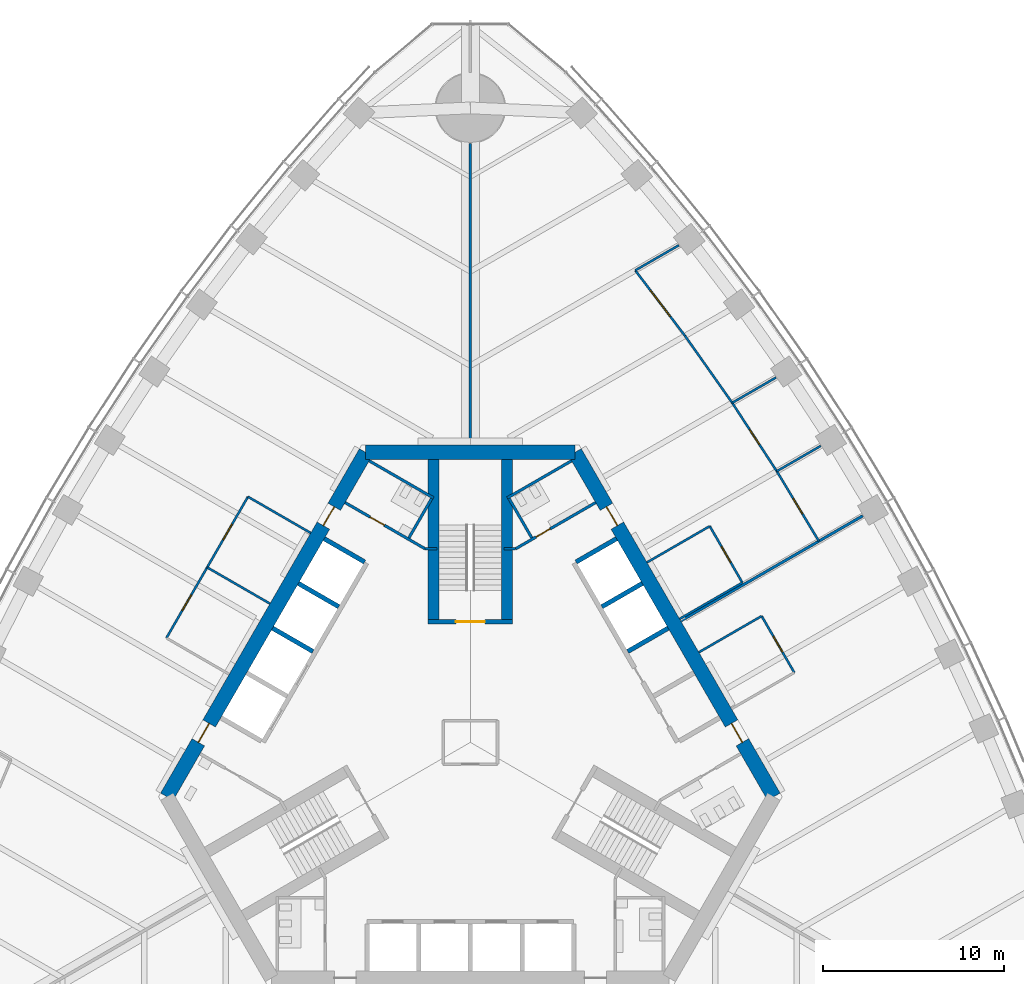
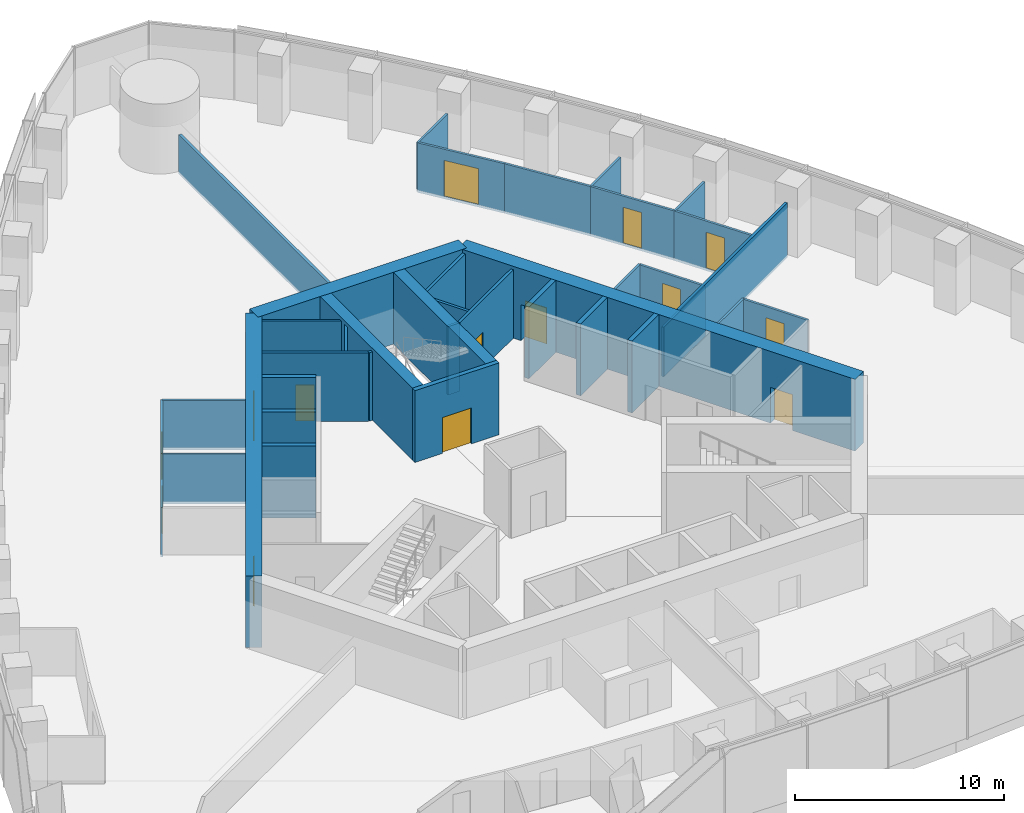
# One storey, part 13 of 19: 38 walls, 14 doors, 14 openings.
"""IFC4 building model written with IfcOpenShell, lengths in metres."""

import ifcopenshell
import ifcopenshell.guid

model = None  # the IFC model being written
_history = None  # IfcOwnerHistory: only IFC2X3 demands one
_inside = {}  # id of a spatial element -> (the spatial element, [elements in it])
_under = {}  # id of a project, library or spatial element -> (it, [spatial elements below it])
_declared = {}  # id of a project -> (the project, [libraries it declares])
_typed = {}  # id of a type object -> (the type object, [elements of that type])
_made_of = {}  # id of a material, layer set ... -> (it, [elements and type objects made of it])


def new_model(schema):
    """Start an empty IFC model of exactly this schema.

    Asked for "IFC4X3", IfcOpenShell would pick the latest addendum, in which some entities
    have other attributes; the version numbers below select the first issue.
    IFC2X3 requires an IfcOwnerHistory on every rooted entity: one is made here for all.
    """
    global model, _history
    if schema == "IFC4X3":
        model = ifcopenshell.file(schema_version=(4, 3, 0, 0))
    else:
        model = ifcopenshell.file(schema=schema)
    _inside.clear()
    _under.clear()
    _declared.clear()
    _typed.clear()
    _made_of.clear()
    _history = None
    if model.schema == "IFC2X3":
        org = make("IfcOrganization", Name="unknown")
        user = make(
            "IfcPersonAndOrganization",
            ThePerson=make("IfcPerson", FamilyName="unknown"),
            TheOrganization=org,
        )
        app = make(
            "IfcApplication",
            ApplicationDeveloper=org,
            Version="unknown",
            ApplicationFullName="unknown",
            ApplicationIdentifier="unknown",
        )
        _history = make(
            "IfcOwnerHistory",
            OwningUser=user,
            OwningApplication=app,
            ChangeAction="ADDED",
            CreationDate=0,
        )
    return model


def make(cls, **values):
    """One entity of the class cls with the attributes given. An attribute that is None is left unset."""
    return model.create_entity(
        cls, **{name: value for name, value in values.items() if value is not None}
    )


def rooted(cls, **values):
    """An entity with a GlobalId (a new one), such as an element, a storey or a relation."""
    return make(cls, GlobalId=ifcopenshell.guid.new(), OwnerHistory=_history, **values)


def si_unit(unit_type, name, prefix=None):
    """IfcSIUnit, for example si_unit("LENGTHUNIT", "METRE", prefix="MILLI")."""
    return make("IfcSIUnit", UnitType=unit_type, Prefix=prefix, Name=name)


def assignment(units):
    """IfcUnitAssignment: the units of a project."""
    return None if units is None else make("IfcUnitAssignment", Units=units)


def point(xyz):
    """IfcCartesianPoint."""
    return None if xyz is None else make("IfcCartesianPoint", Coordinates=xyz)


def direction(xyz):
    """IfcDirection."""
    return None if xyz is None else make("IfcDirection", DirectionRatios=xyz)


def frame(location, z_axis=None, x_axis=None):
    """IfcAxis2Placement3D, a coordinate frame: its origin and axes. An axis left out is left unset."""
    return make(
        "IfcAxis2Placement3D",
        Location=point(location),
        Axis=direction(z_axis),
        RefDirection=direction(x_axis),
    )


def frame_2d(location, x_axis=None):
    """IfcAxis2Placement2D, a coordinate frame in the plane: its origin and x axis."""
    return make(
        "IfcAxis2Placement2D", Location=point(location), RefDirection=direction(x_axis)
    )


def origin():
    """The frame at (0, 0, 0) with its axes left unset."""
    return frame((0.0, 0.0, 0.0))


def place(relative_to, where):
    """IfcLocalPlacement: puts the frame where relative to a parent placement (None: the world)."""
    return make(
        "IfcLocalPlacement", PlacementRelTo=relative_to, RelativePlacement=where
    )


def context(
    kind, dimensions, precision=None, world=None, true_north=None, identifier=None
):
    """IfcGeometricRepresentationContext, for example the 3D "Model" context."""
    return make(
        "IfcGeometricRepresentationContext",
        ContextIdentifier=identifier,
        ContextType=kind,
        CoordinateSpaceDimension=dimensions,
        Precision=precision,
        WorldCoordinateSystem=world,
        TrueNorth=true_north,
    )


def subcontext(parent, identifier, kind, view, scale=None):
    """IfcGeometricRepresentationSubContext, for example "Body" below "Model"."""
    return make(
        "IfcGeometricRepresentationSubContext",
        ContextIdentifier=identifier,
        ContextType=kind,
        ParentContext=parent,
        TargetScale=scale,
        TargetView=view,
    )


def project(units=None, contexts=None):
    """IfcProject with its units and contexts."""
    return rooted(
        "IfcProject",
        Name="project",
        RepresentationContexts=contexts,
        UnitsInContext=assignment(units),
    )


def spatial(cls, under=None, at=None, **own):
    """A site, building, storey or space (cls), placed at a placement, below another one or the project."""
    s = rooted(cls, ObjectPlacement=at, **own)
    if under is not None:
        _under.setdefault(under.id(), (under, []))[1].append(s)
    return s


def profile(cls, at=None, kind="AREA", **sizes):
    """A parametric profile (cls). Its sizes go by their IFC names, for example OverallWidth=200.0."""
    return make(cls, ProfileType=kind, Position=at, **sizes)


def rectangle(**sizes):
    """IfcRectangleProfileDef."""
    return profile("IfcRectangleProfileDef", **sizes)


def extrude(swept, where, along, depth):
    """IfcExtrudedAreaSolid: the profile swept, set in the frame where, extruded along a direction by depth."""
    return make(
        "IfcExtrudedAreaSolid",
        SweptArea=swept,
        Position=where,
        ExtrudedDirection=direction(along),
        Depth=depth,
    )


def shape(context_of_items, identifier, shape_type, items):
    """IfcShapeRepresentation: the items that make up one representation, for example the "Body"."""
    return make(
        "IfcShapeRepresentation",
        ContextOfItems=context_of_items,
        RepresentationIdentifier=identifier,
        RepresentationType=shape_type,
        Items=items,
    )


def material(Name=None, Category=None):
    """IfcMaterial."""
    return make("IfcMaterial", Name=Name, Category=Category)


def layer(
    of_material, thickness, ventilated=None, Name=None, Category=None, Priority=None
):
    """IfcMaterialLayer: one layer of a wall or slab, of a material (None: an air gap)."""
    return make(
        "IfcMaterialLayer",
        Material=of_material,
        LayerThickness=thickness,
        IsVentilated=ventilated,
        Name=Name,
        Category=Category,
        Priority=Priority,
    )


def layer_set(layers, Name=None):
    """IfcMaterialLayerSet."""
    return make("IfcMaterialLayerSet", MaterialLayers=layers, LayerSetName=Name)


def made_of(thing, what):
    """Note that an element or type object is made of a material, layer set ...; save() writes the relation."""
    if what is not None:
        _made_of.setdefault(what.id(), (what, []))[1].append(thing)
    return thing


def type_object(cls, material=None, **own):
    """A type object (cls), such as IfcWallType, which elements share."""
    return made_of(rooted(cls, **own), material)


def element(
    cls,
    number,
    at=None,
    inside=None,
    cuts=None,
    type_object=None,
    material=None,
    context=None,
    identifier="Body",
    shape_type=None,
    held_by="IfcProductDefinitionShape",
    body=None,
    shapes=None,
    **own,
):
    """One element of the class cls, such as IfcWall. Its Tag is "e" and its number.

    at: its placement. inside: the storey or other place that contains it. cuts: it is an
    opening in that element (IfcRelVoidsElement). A single representation is given by context,
    identifier, shape_type and body (its items); several are given by shapes. held_by: the class
    of the entity that holds the representations. save() writes the other relations.
    """
    e = rooted(cls, Tag="e%d" % number, ObjectPlacement=at, **own)
    if body is not None:
        shapes = [shape(context, identifier, shape_type, body)]
    if shapes is not None:
        e.Representation = make(held_by, Representations=shapes)
    if inside is not None:
        _inside.setdefault(inside.id(), (inside, []))[1].append(e)
    if cuts is not None:
        rooted(
            "IfcRelVoidsElement", RelatingBuildingElement=cuts, RelatedOpeningElement=e
        )
    if type_object is not None:
        _typed.setdefault(type_object.id(), (type_object, []))[1].append(e)
    return made_of(e, material)


def fill(opening, filler):
    """IfcRelFillsElement: the door or window that sits in an opening."""
    return rooted(
        "IfcRelFillsElement",
        RelatingOpeningElement=opening,
        RelatedBuildingElement=filler,
    )


def aggregate(whole, parts):
    """IfcRelAggregates: a whole, such as a stair, and the parts it consists of."""
    return rooted("IfcRelAggregates", RelatingObject=whole, RelatedObjects=parts)


def save(model, path):
    """Write the relations noted so far, then the file.

    IfcRelAggregates (storeys below a building ...), IfcRelContainedInSpatialStructure (elements
    in a storey), IfcRelDefinesByType, IfcRelAssociatesMaterial and IfcRelDeclares: one each for
    every whole, place, type object, material and project.
    """
    for whole, parts in _under.values():
        aggregate(whole, parts)
    for where, things in _inside.values():
        rooted(
            "IfcRelContainedInSpatialStructure",
            RelatedElements=things,
            RelatingStructure=where,
        )
    for kind, things in _typed.values():
        rooted("IfcRelDefinesByType", RelatedObjects=things, RelatingType=kind)
    for what, things in _made_of.values():
        rooted("IfcRelAssociatesMaterial", RelatedObjects=things, RelatingMaterial=what)
    for by, libraries in _declared.values():
        rooted("IfcRelDeclares", RelatingContext=by, RelatedDefinitions=libraries)
    model.write(path)


model = new_model("IFC4")

# Units and contexts
model_context = context("Model", 3, precision=1e-05, world=origin(), true_north=direction((0.0, 1.0)))
body_context = subcontext(model_context, "Body", "Model", "MODEL_VIEW")
ifc_project = project(units=[si_unit("LENGTHUNIT", "METRE"), si_unit("AREAUNIT", "SQUARE_METRE"), si_unit("VOLUMEUNIT", "CUBIC_METRE"), si_unit("PLANEANGLEUNIT", "RADIAN"), si_unit("MASSUNIT", "GRAM", prefix="KILO")], contexts=[model_context])

# Site, building, storey
site_placement = place(None, origin())
site = spatial("IfcSite", under=ifc_project, at=site_placement, CompositionType="ELEMENT")
building_placement = place(site_placement, origin())
building = spatial("IfcBuilding", under=site, at=building_placement, Name="Trefoil Bronze Tower", CompositionType="ELEMENT")
storey_placement = place(building_placement, frame((0.0, 0.0, 140.89990234375)))
storey = spatial("IfcBuildingStorey", under=building, at=storey_placement, Name="L32", CompositionType="ELEMENT", Elevation=140.89990234375)

# Wall, openings, doors
ifc_material_1 = material(Name="Concrete B80", Category="concrete")
ifc_layer_1 = layer(ifc_material_1, 0.800048828125)
ifc_layer_set_1 = layer_set([ifc_layer_1], Name="Core wall 800")
wall_type_1 = type_object("IfcWallType", Name="Core wall 800", PredefinedType="SHEAR", material=ifc_layer_set_1)
wall_1_placement = place(storey_placement, frame((16.7431640625, -3.0, 0.0), z_axis=(0.0, 0.0, 1.0), x_axis=(-0.500002442456, 0.866023993627, 0.0)))
wall_1 = element("IfcWall", 1, at=wall_1_placement, inside=storey, type_object=wall_type_1, Name="Core long wall 2 L32", PredefinedType="SHEAR", context=body_context, shape_type="SweptSolid", body=[
    extrude(rectangle(XDim=21.939453125, YDim=0.800048828125, at=frame_2d((10.9697265625, 0.0))), origin(), (0.0, 0.0, 1.0), 4.2001953125),
])
opening_1_placement = place(wall_1_placement, frame((17.269775390625, 0.0, 0.0)))
opening_1 = element("IfcOpeningElement", 2, at=opening_1_placement, cuts=wall_1, Name="Opening D2", PredefinedType="OPENING", context=body_context, shape_type="SweptSolid", body=[
    extrude(rectangle(XDim=1.199951171875, YDim=2.10009765625, at=frame_2d((0.60009765625, 1.050048828125))), frame((0.0, 0.409912109375, 0.0), z_axis=(0.0, -1.0, 0.0), x_axis=(1.0, 0.0, 0.0)), (0.0, 0.0, 1.0), 0.820068359375),
])
opening_2_placement = place(wall_1_placement, frame((3.4697265625, 0.0, 0.0)))
opening_2 = element("IfcOpeningElement", 3, at=opening_2_placement, cuts=wall_1, Name="Opening D2", PredefinedType="OPENING", context=body_context, shape_type="SweptSolid", body=[
    extrude(rectangle(XDim=1.199951171875, YDim=2.10009765625, at=frame_2d((0.60009765625, 1.050048828125))), frame((0.0, 0.409912109375, 0.0), z_axis=(0.0, -1.0, 0.0), x_axis=(1.0, 0.0, 0.0)), (0.0, 0.0, 1.0), 0.820068359375),
])
ifc_material_2 = material(Name="Steel door", Category="steel")
door_type_1 = type_object("IfcDoorType", Name="Lobby door 1200", OperationType="SINGLE_SWING_RIGHT", PredefinedType="DOOR", material=ifc_material_2)
door_1_placement = place(opening_1_placement, origin())
door_1 = element("IfcDoor", 4, at=door_1_placement, inside=storey, type_object=door_type_1, Name="Lobby door F2+ L32", OperationType="SINGLE_SWING_RIGHT", OverallHeight=2.10009765625, OverallWidth=1.199951171875, PredefinedType="DOOR", context=body_context, shape_type="SweptSolid", body=[
    extrude(rectangle(XDim=1.199951171875, YDim=2.10009765625, at=frame_2d((0.60009765625, 1.050048828125))), frame((0.0, 0.02490234375, 0.0), z_axis=(0.0, -1.0, 0.0), x_axis=(1.0, 0.0, 0.0)), (0.0, 0.0, 1.0), 0.050048828125),
])
fill(opening_1, door_1)
door_2_placement = place(opening_2_placement, origin())
door_2 = element("IfcDoor", 5, at=door_2_placement, inside=storey, type_object=door_type_1, Name="Lobby door F2- L32", OperationType="SINGLE_SWING_LEFT", OverallHeight=2.10009765625, OverallWidth=1.199951171875, PredefinedType="DOOR", context=body_context, shape_type="SweptSolid", body=[
    extrude(rectangle(XDim=1.199951171875, YDim=2.10009765625, at=frame_2d((0.60009765625, 1.050048828125))), frame((0.0, 0.02490234375, 0.0), z_axis=(0.0, -1.0, 0.0), x_axis=(1.0, 0.0, 0.0)), (0.0, 0.0, 1.0), 0.050048828125),
])
fill(opening_2, door_2)

# Wall
wall_2_placement = place(storey_placement, frame((5.7734375, 16.0, 0.0), z_axis=(0.0, 0.0, 1.0), x_axis=(-1.0, 0.0, 0.0)))
element("IfcWall", 6, at=wall_2_placement, inside=storey, type_object=wall_type_1, Name="Core short wall 2 L32", PredefinedType="SHEAR", context=body_context, shape_type="SweptSolid", body=[
    extrude(rectangle(XDim=11.546875, YDim=0.800048828125, at=frame_2d((5.7734375, 0.0))), origin(), (0.0, 0.0, 1.0), 4.2001953125),
])

# Wall, openings, doors
wall_3_placement = place(storey_placement, frame((-5.7734375, 16.0, 0.0), z_axis=(0.0, 0.0, 1.0), x_axis=(-0.500002442456, -0.866023993627, 0.0)))
wall_3 = element("IfcWall", 7, at=wall_3_placement, inside=storey, type_object=wall_type_1, Name="Core long wall 3 L32", PredefinedType="SHEAR", context=body_context, shape_type="SweptSolid", body=[
    extrude(rectangle(XDim=21.939453125, YDim=0.800048828125, at=frame_2d((10.9697265625, 0.0))), origin(), (0.0, 0.0, 1.0), 4.2001953125),
])
opening_3_placement = place(wall_3_placement, frame((17.269775390625, 0.0, 0.0)))
opening_3 = element("IfcOpeningElement", 8, at=opening_3_placement, cuts=wall_3, Name="Opening D2", PredefinedType="OPENING", context=body_context, shape_type="SweptSolid", body=[
    extrude(rectangle(XDim=1.199951171875, YDim=2.10009765625, at=frame_2d((0.60009765625, 1.050048828125))), frame((0.0, 0.409912109375, 0.0), z_axis=(0.0, -1.0, 0.0), x_axis=(1.0, 0.0, 0.0)), (0.0, 0.0, 1.0), 0.820068359375),
])
opening_4_placement = place(wall_3_placement, frame((3.4697265625, 0.0, 0.0)))
opening_4 = element("IfcOpeningElement", 9, at=opening_4_placement, cuts=wall_3, Name="Opening D2", PredefinedType="OPENING", context=body_context, shape_type="SweptSolid", body=[
    extrude(rectangle(XDim=1.199951171875, YDim=2.10009765625, at=frame_2d((0.60009765625, 1.050048828125))), frame((0.0, 0.409912109375, 0.0), z_axis=(0.0, -1.0, 0.0), x_axis=(1.0, 0.0, 0.0)), (0.0, 0.0, 1.0), 0.820068359375),
])
door_3_placement = place(opening_3_placement, origin())
door_3 = element("IfcDoor", 10, at=door_3_placement, inside=storey, type_object=door_type_1, Name="Lobby door F3+ L32", OperationType="SINGLE_SWING_RIGHT", OverallHeight=2.10009765625, OverallWidth=1.199951171875, PredefinedType="DOOR", context=body_context, shape_type="SweptSolid", body=[
    extrude(rectangle(XDim=1.199951171875, YDim=2.10009765625, at=frame_2d((0.60009765625, 1.050048828125))), frame((0.0, 0.02490234375, 0.0), z_axis=(0.0, -1.0, 0.0), x_axis=(1.0, 0.0, 0.0)), (0.0, 0.0, 1.0), 0.050048828125),
])
fill(opening_3, door_3)
door_4_placement = place(opening_4_placement, origin())
door_4 = element("IfcDoor", 11, at=door_4_placement, inside=storey, type_object=door_type_1, Name="Lobby door F3- L32", OperationType="SINGLE_SWING_LEFT", OverallHeight=2.10009765625, OverallWidth=1.199951171875, PredefinedType="DOOR", context=body_context, shape_type="SweptSolid", body=[
    extrude(rectangle(XDim=1.199951171875, YDim=2.10009765625, at=frame_2d((0.60009765625, 1.050048828125))), frame((0.0, 0.02490234375, 0.0), z_axis=(0.0, -1.0, 0.0), x_axis=(1.0, 0.0, 0.0)), (0.0, 0.0, 1.0), 0.050048828125),
])
fill(opening_4, door_4)

# Wall, opening, door
ifc_material_3 = material(Name="Glazed partition", Category="glass")
ifc_layer_2 = layer(ifc_material_3, 0.1201171875)
ifc_layer_set_2 = layer_set([ifc_layer_2], Name="Glazed partition 120")
wall_type_2 = type_object("IfcWallType", Name="Glazed partition 120", PredefinedType="PARTITIONING", material=ifc_layer_set_2)
wall_4_placement = place(storey_placement, frame((15.00634765625, 8.808349609375, 0.0), z_axis=(0.0, 0.0, 1.0), x_axis=(-0.500012057535, 0.866018442252, 0.0)))
wall_4 = element("IfcWall", 12, at=wall_4_placement, inside=storey, type_object=wall_type_2, Name="Partition F2 L32", PredefinedType="PARTITIONING", context=body_context, shape_type="SweptSolid", body=[
    extrude(rectangle(XDim=3.60009765625, YDim=0.1201171875, at=frame_2d((1.800048828125, 0.0))), origin(), (0.0, 0.0, 1.0), 2.900146484375),
])
opening_5_placement = place(wall_4_placement, frame((1.300048828125, 0.0, 0.14990234375)))
opening_5 = element("IfcOpeningElement", 13, at=opening_5_placement, cuts=wall_4, Name="Opening D9", PredefinedType="OPENING", context=body_context, shape_type="SweptSolid", body=[
    extrude(rectangle(XDim=1.0, YDim=2.10009765625, at=frame_2d((0.5, 1.050048828125))), frame((0.0, 0.070068359375, 0.0), z_axis=(0.0, -1.0, 0.0), x_axis=(1.0, 0.0, 0.0)), (0.0, 0.0, 1.0), 0.14013671875),
])
ifc_material_4 = material(Name="Glazed timber door", Category="wood")
door_type_2 = type_object("IfcDoorType", Name="Meeting room door 1000", OperationType="SINGLE_SWING_LEFT", PredefinedType="DOOR", material=ifc_material_4)
door_5_placement = place(opening_5_placement, origin())
door_5 = element("IfcDoor", 14, at=door_5_placement, inside=storey, type_object=door_type_2, Name="Meeting room door F2 L32", OperationType="SINGLE_SWING_LEFT", OverallHeight=2.10009765625, OverallWidth=1.0, PredefinedType="DOOR", context=body_context, shape_type="SweptSolid", body=[
    extrude(rectangle(XDim=1.0, YDim=2.10009765625, at=frame_2d((0.5, 1.050048828125))), frame((0.0, 0.02490234375, 0.0), z_axis=(0.0, -1.0, 0.0), x_axis=(1.0, 0.0, 0.0)), (0.0, 0.0, 1.0), 0.050048828125),
])
fill(opening_5, door_5)

wall_5_placement = place(storey_placement, frame((17.868896484375, 3.850341796875, 0.0), z_axis=(0.0, 0.0, 1.0), x_axis=(-0.500012057535, 0.866018442252, 0.0)))
wall_5 = element("IfcWall", 15, at=wall_5_placement, inside=storey, type_object=wall_type_2, Name="Partition F2 L32", PredefinedType="PARTITIONING", context=body_context, shape_type="SweptSolid", body=[
    extrude(rectangle(XDim=3.60009765625, YDim=0.1201171875, at=frame_2d((1.800048828125, 0.0))), origin(), (0.0, 0.0, 1.0), 2.900146484375),
])
opening_6_placement = place(wall_5_placement, frame((1.300048828125, 0.0, 0.14990234375)))
opening_6 = element("IfcOpeningElement", 16, at=opening_6_placement, cuts=wall_5, Name="Opening D9", PredefinedType="OPENING", context=body_context, shape_type="SweptSolid", body=[
    extrude(rectangle(XDim=1.0, YDim=2.10009765625, at=frame_2d((0.5, 1.050048828125))), frame((0.0, 0.070068359375, 0.0), z_axis=(0.0, -1.0, 0.0), x_axis=(1.0, 0.0, 0.0)), (0.0, 0.0, 1.0), 0.14013671875),
])
door_6_placement = place(opening_6_placement, origin())
door_6 = element("IfcDoor", 17, at=door_6_placement, inside=storey, type_object=door_type_2, Name="Meeting room door F2 L32", OperationType="SINGLE_SWING_RIGHT", OverallHeight=2.10009765625, OverallWidth=1.0, PredefinedType="DOOR", context=body_context, shape_type="SweptSolid", body=[
    extrude(rectangle(XDim=1.0, YDim=2.10009765625, at=frame_2d((0.5, 1.050048828125))), frame((0.0, 0.02490234375, 0.0), z_axis=(0.0, -1.0, 0.0), x_axis=(1.0, 0.0, 0.0)), (0.0, 0.0, 1.0), 0.050048828125),
])
fill(opening_6, door_6)

# Walls
for number, where, z_axis, x_axis, name in (
    (18, (11.542236328125, 6.808349609375, 0.0), (0.0, 0.0, 1.0), (0.866026010844, 0.49999894854, 0.0), "Partition F2 L32"),
    (19, (9.7421875, 9.926025390625, 0.0), (0.0, 0.0, 1.0), (0.866026010844, 0.49999894854, 0.0), "Partition F2 L32"),
    (20, (12.604736328125, 4.968017578125, 0.0), (0.0, 0.0, 1.0), (0.866026010844, 0.49999894854, 0.0), "Partition F2 L32"),
):
    element("IfcWall", number, at=place(storey_placement, frame(where, z_axis=z_axis, x_axis=x_axis)), inside=storey, type_object=wall_type_2, Name=name, PredefinedType="PARTITIONING", context=body_context, shape_type="SweptSolid", body=[
        extrude(rectangle(XDim=4.0, YDim=0.1201171875, at=frame_2d((2.0, 0.0))), origin(), (0.0, 0.0, 1.0), 2.900146484375),
    ])

# Wall, opening, door
wall_6_placement = place(storey_placement, frame((19.2255859375, 11.099853515625, 0.0), z_axis=(0.0, 0.0, 1.0), x_axis=(-0.515548366618, 0.856860479703, 0.0)))
wall_6 = element("IfcWall", 21, at=wall_6_placement, inside=storey, type_object=wall_type_2, Name="Partition F2 L32", PredefinedType="PARTITIONING", context=body_context, shape_type="SweptSolid", body=[
    extrude(rectangle(XDim=4.500732421875, YDim=0.1201171875, at=frame_2d((2.25048828125, 0.0))), origin(), (0.0, 0.0, 1.0), 2.900146484375),
])
opening_7_placement = place(wall_6_placement, frame((1.75, 0.0, 0.14990234375)))
opening_7 = element("IfcOpeningElement", 22, at=opening_7_placement, cuts=wall_6, Name="Opening D9", PredefinedType="OPENING", context=body_context, shape_type="SweptSolid", body=[
    extrude(rectangle(XDim=1.0, YDim=2.10009765625, at=frame_2d((0.5, 1.050048828125))), frame((0.0, 0.070068359375, 0.0), z_axis=(0.0, -1.0, 0.0), x_axis=(1.0, 0.0, 0.0)), (0.0, 0.0, 1.0), 0.14013671875),
])
door_7_placement = place(opening_7_placement, frame((1.0, 0.0, 0.0), z_axis=(0.0, 0.0, 1.0), x_axis=(-1.0, 0.0, 0.0)))
door_7 = element("IfcDoor", 23, at=door_7_placement, inside=storey, type_object=door_type_2, Name="Meeting room door F2 L32", OperationType="SINGLE_SWING_RIGHT", OverallHeight=2.10009765625, OverallWidth=1.0, PredefinedType="DOOR", context=body_context, shape_type="SweptSolid", body=[
    extrude(rectangle(XDim=1.0, YDim=2.10009765625, at=frame_2d((0.5, 1.050048828125))), frame((0.0, 0.02490234375, 0.0), z_axis=(0.0, -1.0, 0.0), x_axis=(1.0, 0.0, 0.0)), (0.0, 0.0, 1.0), 0.050048828125),
])
fill(opening_7, door_7)

wall_7_placement = place(storey_placement, frame((11.841552734375, 22.42529296875, 0.0), z_axis=(0.0, 0.0, 1.0), x_axis=(-0.605240194184, 0.796042905467, 0.0)))
wall_7 = element("IfcWall", 24, at=wall_7_placement, inside=storey, type_object=wall_type_2, Name="Partition F2 L32", PredefinedType="PARTITIONING", context=body_context, shape_type="SweptSolid", body=[
    extrude(rectangle(XDim=4.535888671875, YDim=0.1201171875, at=frame_2d((2.26806640625, 0.0))), origin(), (0.0, 0.0, 1.0), 2.900146484375),
])
opening_8_placement = place(wall_7_placement, frame((1.35009765625, 0.0, 0.14990234375)))
opening_8 = element("IfcOpeningElement", 25, at=opening_8_placement, cuts=wall_7, Name="Opening D10", PredefinedType="OPENING", context=body_context, shape_type="SweptSolid", body=[
    extrude(rectangle(XDim=1.800048828125, YDim=2.10009765625, at=frame_2d((0.89990234375, 1.050048828125))), frame((0.0, 0.070068359375, 0.0), z_axis=(0.0, -1.0, 0.0), x_axis=(1.0, 0.0, 0.0)), (0.0, 0.0, 1.0), 0.14013671875),
])
ifc_material_5 = material(Name="Timber door", Category="wood")
door_type_3 = type_object("IfcDoorType", Name="Double door 1800", OperationType="DOUBLE_DOOR_SINGLE_SWING", PredefinedType="DOOR", material=ifc_material_5)
door_8_placement = place(opening_8_placement, frame((1.800048828125, 0.0, 0.0), z_axis=(0.0, 0.0, 1.0), x_axis=(-1.0, 0.0, 0.0)))
door_8 = element("IfcDoor", 26, at=door_8_placement, inside=storey, type_object=door_type_3, Name="Kitchen and breakout door F2 L32", OperationType="DOUBLE_DOOR_SINGLE_SWING", OverallHeight=2.10009765625, OverallWidth=1.800048828125, PredefinedType="DOOR", context=body_context, shape_type="SweptSolid", body=[
    extrude(rectangle(XDim=1.800048828125, YDim=2.10009765625, at=frame_2d((0.89990234375, 1.050048828125))), frame((0.0, 0.02490234375, 0.0), z_axis=(0.0, -1.0, 0.0), x_axis=(1.0, 0.0, 0.0)), (0.0, 0.0, 1.0), 0.050048828125),
])
fill(opening_8, door_8)

wall_8_placement = place(storey_placement, frame((16.9052734375, 14.956298828125, 0.0), z_axis=(0.0, 0.0, 1.0), x_axis=(-0.546069464151, 0.837739900161, 0.0)))
wall_8 = element("IfcWall", 27, at=wall_8_placement, inside=storey, type_object=wall_type_2, Name="Partition F2 L32", PredefinedType="PARTITIONING", context=body_context, shape_type="SweptSolid", body=[
    extrude(rectangle(XDim=4.506591796875, YDim=0.1201171875, at=frame_2d((2.25341796875, 0.0))), origin(), (0.0, 0.0, 1.0), 2.900146484375),
])
opening_9_placement = place(wall_8_placement, frame((1.75, 0.0, 0.14990234375)))
opening_9 = element("IfcOpeningElement", 28, at=opening_9_placement, cuts=wall_8, Name="Opening D9", PredefinedType="OPENING", context=body_context, shape_type="SweptSolid", body=[
    extrude(rectangle(XDim=1.0, YDim=2.10009765625, at=frame_2d((0.5, 1.050048828125))), frame((0.0, 0.070068359375, 0.0), z_axis=(0.0, -1.0, 0.0), x_axis=(1.0, 0.0, 0.0)), (0.0, 0.0, 1.0), 0.14013671875),
])
door_9_placement = place(opening_9_placement, frame((1.0, 0.0, 0.0), z_axis=(0.0, 0.0, 1.0), x_axis=(-1.0, 0.0, 0.0)))
door_9 = element("IfcDoor", 29, at=door_9_placement, inside=storey, type_object=door_type_2, Name="Meeting room door F2 L32", OperationType="SINGLE_SWING_RIGHT", OverallHeight=2.10009765625, OverallWidth=1.0, PredefinedType="DOOR", context=body_context, shape_type="SweptSolid", body=[
    extrude(rectangle(XDim=1.0, YDim=2.10009765625, at=frame_2d((0.5, 1.050048828125))), frame((0.0, 0.02490234375, 0.0), z_axis=(0.0, -1.0, 0.0), x_axis=(1.0, 0.0, 0.0)), (0.0, 0.0, 1.0), 0.050048828125),
])
fill(opening_9, door_9)

# Walls
wall_9_placement = place(storey_placement, frame((14.4443359375, 18.731689453125, 0.0), z_axis=(0.0, 0.0, 1.0), x_axis=(-0.576023283708, 0.817433285734, 0.0)))
element("IfcWall", 30, at=wall_9_placement, inside=storey, type_object=wall_type_2, Name="Partition F2 L32", PredefinedType="PARTITIONING", context=body_context, shape_type="SweptSolid", body=[
    extrude(rectangle(XDim=4.5185546875, YDim=0.1201171875, at=frame_2d((2.25927734375, 0.0))), origin(), (0.0, 0.0, 1.0), 2.900146484375),
])
wall_10_placement = place(storey_placement, frame((9.09619140625, 26.0361328125, 0.0), z_axis=(0.0, 0.0, 1.0), x_axis=(0.866012991964, 0.500021497287, 0.0)))
element("IfcWall", 31, at=wall_10_placement, inside=storey, type_object=wall_type_2, Name="Partition F2 L32", PredefinedType="PARTITIONING", context=body_context, shape_type="SweptSolid", body=[
    extrude(rectangle(XDim=2.77978515625, YDim=0.1201171875, at=frame_2d((1.389892578125, 0.0))), origin(), (0.0, 0.0, 1.0), 2.900146484375),
])
wall_11_placement = place(storey_placement, frame((16.9052734375, 14.956298828125, 0.0), z_axis=(0.0, 0.0, 1.0), x_axis=(0.865992050729, 0.500057764738, 0.0)))
element("IfcWall", 32, at=wall_11_placement, inside=storey, type_object=wall_type_2, Name="Partition F2 L32", PredefinedType="PARTITIONING", context=body_context, shape_type="SweptSolid", body=[
    extrude(rectangle(XDim=2.794189453125, YDim=0.1201171875, at=frame_2d((1.39697265625, 0.0))), origin(), (0.0, 0.0, 1.0), 2.900146484375),
])
wall_12_placement = place(storey_placement, frame((14.4443359375, 18.731689453125, 0.0), z_axis=(0.0, 0.0, 1.0), x_axis=(0.866038471125, 0.499977366019, 0.0)))
element("IfcWall", 33, at=wall_12_placement, inside=storey, type_object=wall_type_2, Name="Partition F2 L32", PredefinedType="PARTITIONING", context=body_context, shape_type="SweptSolid", body=[
    extrude(rectangle(XDim=2.791259765625, YDim=0.1201171875, at=frame_2d((1.3955078125, 0.0))), origin(), (0.0, 0.0, 1.0), 2.900146484375),
])

# Wall, opening, door
wall_13_placement = place(storey_placement, frame((-14.518798828125, 9.652587890625, 0.0), z_axis=(0.0, 0.0, 1.0), x_axis=(-0.500013631625, -0.866017533419, 0.0)))
wall_13 = element("IfcWall", 34, at=wall_13_placement, inside=storey, type_object=wall_type_2, Name="Partition F3 L32", PredefinedType="PARTITIONING", context=body_context, shape_type="SweptSolid", body=[
    extrude(rectangle(XDim=4.499755859375, YDim=0.1201171875, at=frame_2d((2.25, 0.0))), origin(), (0.0, 0.0, 1.0), 2.900146484375),
])
opening_10_placement = place(wall_13_placement, frame((1.75, 0.0, 0.14990234375)))
opening_10 = element("IfcOpeningElement", 35, at=opening_10_placement, cuts=wall_13, Name="Opening D9", PredefinedType="OPENING", context=body_context, shape_type="SweptSolid", body=[
    extrude(rectangle(XDim=1.0, YDim=2.10009765625, at=frame_2d((0.5, 1.050048828125))), frame((0.0, 0.070068359375, 0.0), z_axis=(0.0, -1.0, 0.0), x_axis=(1.0, 0.0, 0.0)), (0.0, 0.0, 1.0), 0.14013671875),
])
door_10_placement = place(opening_10_placement, origin())
door_10 = element("IfcDoor", 36, at=door_10_placement, inside=storey, type_object=door_type_2, Name="Project room door F3 L32", OperationType="SINGLE_SWING_RIGHT", OverallHeight=2.10009765625, OverallWidth=1.0, PredefinedType="DOOR", context=body_context, shape_type="SweptSolid", body=[
    extrude(rectangle(XDim=1.0, YDim=2.10009765625, at=frame_2d((0.5, 1.050048828125))), frame((0.0, 0.02490234375, 0.0), z_axis=(0.0, -1.0, 0.0), x_axis=(1.0, 0.0, 0.0)), (0.0, 0.0, 1.0), 0.050048828125),
])
fill(opening_10, door_10)

wall_14_placement = place(storey_placement, frame((-12.268798828125, 13.5498046875, 0.0), z_axis=(0.0, 0.0, 1.0), x_axis=(-0.499990139034, -0.866031096941, 0.0)))
wall_14 = element("IfcWall", 37, at=wall_14_placement, inside=storey, type_object=wall_type_2, Name="Partition F3 L32", PredefinedType="PARTITIONING", context=body_context, shape_type="SweptSolid", body=[
    extrude(rectangle(XDim=4.5, YDim=0.1201171875, at=frame_2d((2.25, 0.0))), origin(), (0.0, 0.0, 1.0), 2.900146484375),
])
opening_11_placement = place(wall_14_placement, frame((1.75, 0.0, 0.14990234375)))
opening_11 = element("IfcOpeningElement", 38, at=opening_11_placement, cuts=wall_14, Name="Opening D9", PredefinedType="OPENING", context=body_context, shape_type="SweptSolid", body=[
    extrude(rectangle(XDim=1.0, YDim=2.10009765625, at=frame_2d((0.5, 1.050048828125))), frame((0.0, 0.070068359375, 0.0), z_axis=(0.0, -1.0, 0.0), x_axis=(1.0, 0.0, 0.0)), (0.0, 0.0, 1.0), 0.14013671875),
])
door_11_placement = place(opening_11_placement, origin())
door_11 = element("IfcDoor", 39, at=door_11_placement, inside=storey, type_object=door_type_2, Name="Project room door F3 L32", OperationType="SINGLE_SWING_RIGHT", OverallHeight=2.10009765625, OverallWidth=1.0, PredefinedType="DOOR", context=body_context, shape_type="SweptSolid", body=[
    extrude(rectangle(XDim=1.0, YDim=2.10009765625, at=frame_2d((0.5, 1.050048828125))), frame((0.0, 0.02490234375, 0.0), z_axis=(0.0, -1.0, 0.0), x_axis=(1.0, 0.0, 0.0)), (0.0, 0.0, 1.0), 0.050048828125),
])
fill(opening_11, door_11)

# Walls
for number, where, z_axis, x_axis, name in (
    (40, (-11.0546875, 7.652587890625, 0.0), (0.0, 0.0, 1.0), (-0.866026010844, 0.49999894854, 0.0), "Partition F3 L32"),
    (41, (-8.8046875, 11.5498046875, 0.0), (0.0, 0.0, 1.0), (-0.866026010844, 0.49999894854, 0.0), "Partition F3 L32"),
):
    element("IfcWall", number, at=place(storey_placement, frame(where, z_axis=z_axis, x_axis=x_axis)), inside=storey, type_object=wall_type_2, Name=name, PredefinedType="PARTITIONING", context=body_context, shape_type="SweptSolid", body=[
        extrude(rectangle(XDim=4.0, YDim=0.1201171875, at=frame_2d((2.0, 0.0))), origin(), (0.0, 0.0, 1.0), 2.900146484375),
    ])

# Wall, opening, door
ifc_material_6 = material(Name="Gypsum board on steel studs", Category="steel")
ifc_layer_3 = layer(ifc_material_6, 0.14990234375)
ifc_layer_set_3 = layer_set([ifc_layer_3], Name="Partition 150")
wall_type_3 = type_object("IfcWallType", Name="Partition 150", PredefinedType="PARTITIONING", material=ifc_layer_set_3)
wall_15_placement = place(storey_placement, frame((2.4951171875, 10.67822265625, 0.0), z_axis=(0.0, 0.0, 1.0), x_axis=(0.86602216432, 0.500005610874, 0.0)))
wall_15 = element("IfcWall", 42, at=wall_15_placement, inside=storey, type_object=wall_type_3, Name="Passage wall F2+ L32", PredefinedType="PARTITIONING", context=body_context, shape_type="SweptSolid", body=[
    extrude(rectangle(XDim=5.10009765625, YDim=0.14990234375, at=frame_2d((2.550048828125, 0.0))), origin(), (0.0, 0.0, 1.0), 4.0),
])
opening_12_placement = place(wall_15_placement, frame((1.300048828125, 0.0, 0.0)))
opening_12 = element("IfcOpeningElement", 43, at=opening_12_placement, cuts=wall_15, Name="Opening D3", PredefinedType="OPENING", context=body_context, shape_type="SweptSolid", body=[
    extrude(rectangle(XDim=0.89990234375, YDim=2.10009765625, at=frame_2d((0.449951171875, 1.050048828125))), frame((0.0, 0.0849609375, 0.0), z_axis=(0.0, -1.0, 0.0), x_axis=(1.0, 0.0, 0.0)), (0.0, 0.0, 1.0), 0.169921875),
])
ifc_material_7 = material(Name="Timber door", Category="wood")
door_type_4 = type_object("IfcDoorType", Name="WC door 900", OperationType="SINGLE_SWING_LEFT", PredefinedType="DOOR", material=ifc_material_7)
door_12_placement = place(opening_12_placement, origin())
door_12 = element("IfcDoor", 44, at=door_12_placement, inside=storey, type_object=door_type_4, Name="WC (men) door L32", OperationType="SINGLE_SWING_LEFT", OverallHeight=2.10009765625, OverallWidth=0.89990234375, PredefinedType="DOOR", context=body_context, shape_type="SweptSolid", body=[
    extrude(rectangle(XDim=0.89990234375, YDim=2.10009765625, at=frame_2d((0.449951171875, 1.050048828125))), frame((0.0, 0.02490234375, 0.0), z_axis=(0.0, -1.0, 0.0), x_axis=(1.0, 0.0, 0.0)), (0.0, 0.0, 1.0), 0.050048828125),
])
fill(opening_12, door_12)

wall_16_placement = place(storey_placement, frame((-2.4951171875, 10.67822265625, 0.0), z_axis=(0.0, 0.0, 1.0), x_axis=(-0.86602216432, 0.500005610874, 0.0)))
wall_16 = element("IfcWall", 45, at=wall_16_placement, inside=storey, type_object=wall_type_3, Name="Passage wall F3- L32", PredefinedType="PARTITIONING", context=body_context, shape_type="SweptSolid", body=[
    extrude(rectangle(XDim=5.10009765625, YDim=0.14990234375, at=frame_2d((2.550048828125, 0.0))), origin(), (0.0, 0.0, 1.0), 4.0),
])
opening_13_placement = place(wall_16_placement, frame((2.60009765625, 0.0, 0.0)))
opening_13 = element("IfcOpeningElement", 46, at=opening_13_placement, cuts=wall_16, Name="Opening D3", PredefinedType="OPENING", context=body_context, shape_type="SweptSolid", body=[
    extrude(rectangle(XDim=0.89990234375, YDim=2.10009765625, at=frame_2d((0.449951171875, 1.050048828125))), frame((0.0, 0.0849609375, 0.0), z_axis=(0.0, -1.0, 0.0), x_axis=(1.0, 0.0, 0.0)), (0.0, 0.0, 1.0), 0.169921875),
])
door_13_placement = place(opening_13_placement, frame((0.89990234375, 0.0, 0.0), z_axis=(0.0, 0.0, 1.0), x_axis=(-1.0, 0.0, 0.0)))
door_13 = element("IfcDoor", 47, at=door_13_placement, inside=storey, type_object=door_type_4, Name="WC (women) door L32", OperationType="SINGLE_SWING_RIGHT", OverallHeight=2.10009765625, OverallWidth=0.89990234375, PredefinedType="DOOR", context=body_context, shape_type="SweptSolid", body=[
    extrude(rectangle(XDim=0.89990234375, YDim=2.10009765625, at=frame_2d((0.449951171875, 1.050048828125))), frame((0.0, 0.02490234375, 0.0), z_axis=(0.0, -1.0, 0.0), x_axis=(1.0, 0.0, 0.0)), (0.0, 0.0, 1.0), 0.050048828125),
])
fill(opening_13, door_13)

# Walls
for number, where, z_axis, x_axis, name in (
    (48, (2.4951171875, 10.67822265625, 0.0), (0.0, 0.0, 1.0), (-1.0, 0.0, 0.0), "WC wall ST2-1 L32"),
    (49, (-2.4951171875, 10.67822265625, 0.0), (0.0, 0.0, 1.0), (1.0, 0.0, 0.0), "WC wall ST2+1 L32"),
):
    element("IfcWall", number, at=place(storey_placement, frame(where, z_axis=z_axis, x_axis=x_axis)), inside=storey, type_object=wall_type_3, Name=name, PredefinedType="PARTITIONING", context=body_context, shape_type="SweptSolid", body=[
        extrude(rectangle(XDim=0.64501953125, YDim=0.14990234375, at=frame_2d((0.322509765625, 0.0))), origin(), (0.0, 0.0, 1.0), 4.0),
    ])
wall_17_placement = place(storey_placement, frame((2.03125, 13.48193359375, 0.0), z_axis=(0.0, 0.0, 1.0), x_axis=(0.866050731258, 0.499956128963, 0.0)))
element("IfcWall", 50, at=wall_17_placement, inside=storey, type_object=wall_type_3, Name="WC partition WC (men) L32", PredefinedType="PARTITIONING", context=body_context, shape_type="SweptSolid", body=[
    extrude(rectangle(XDim=4.099853515625, YDim=0.14990234375, at=frame_2d((2.0498046875, 0.0))), origin(), (0.0, 0.0, 1.0), 4.0),
])
wall_18_placement = place(storey_placement, frame((3.388671875, 11.28076171875, 0.0), z_axis=(0.0, 0.0, 1.0), x_axis=(-0.499989096993, 0.866031698547, 0.0)))
element("IfcWall", 51, at=wall_18_placement, inside=storey, type_object=wall_type_3, Name="WC partition WC (men) L32", PredefinedType="PARTITIONING", context=body_context, shape_type="SweptSolid", body=[
    extrude(rectangle(XDim=2.509765625, YDim=0.14990234375, at=frame_2d((1.2548828125, 0.0))), origin(), (0.0, 0.0, 1.0), 4.0),
])
wall_19_placement = place(storey_placement, frame((-2.03125, 13.48193359375, 0.0), z_axis=(0.0, 0.0, 1.0), x_axis=(-0.866050731258, 0.499956128963, 0.0)))
element("IfcWall", 52, at=wall_19_placement, inside=storey, type_object=wall_type_3, Name="WC partition WC (women) L32", PredefinedType="PARTITIONING", context=body_context, shape_type="SweptSolid", body=[
    extrude(rectangle(XDim=4.099853515625, YDim=0.14990234375, at=frame_2d((2.0498046875, 0.0))), origin(), (0.0, 0.0, 1.0), 4.0),
])
wall_20_placement = place(storey_placement, frame((-3.388671875, 11.28076171875, 0.0), z_axis=(0.0, 0.0, 1.0), x_axis=(0.499989096993, 0.866031698547, 0.0)))
element("IfcWall", 53, at=wall_20_placement, inside=storey, type_object=wall_type_3, Name="WC partition WC (women) L32", PredefinedType="PARTITIONING", context=body_context, shape_type="SweptSolid", body=[
    extrude(rectangle(XDim=2.509765625, YDim=0.14990234375, at=frame_2d((1.2548828125, 0.0))), origin(), (0.0, 0.0, 1.0), 4.0),
])
ifc_material_8 = material(Name="Gypsum board on steel studs", Category="steel")
ifc_layer_4 = layer(ifc_material_8, 0.14990234375)
ifc_layer_set_4 = layer_set([ifc_layer_4], Name="Party wall 150")
wall_type_4 = type_object("IfcWallType", Name="Party wall 150", PredefinedType="PARTITIONING", material=ifc_layer_set_4)
wall_21_placement = place(storey_placement, frame((0.0, 16.39990234375, 0.0), z_axis=(0.0, 0.0, 1.0), x_axis=(0.0, 1.0, 0.0)))
element("IfcWall", 54, at=wall_21_placement, inside=storey, type_object=wall_type_4, Name="Party wall K2 L32", PredefinedType="PARTITIONING", context=body_context, shape_type="SweptSolid", body=[
    extrude(rectangle(XDim=16.650146484375, YDim=0.14990234375, at=frame_2d((8.3251953125, 0.0))), origin(), (0.0, 0.0, 1.0), 2.300048828125),
])
wall_22_placement = place(storey_placement, frame((11.61328125, 6.705078125, 0.0), z_axis=(0.0, 0.0, 1.0), x_axis=(0.866031170684, 0.499990011303, 0.0)))
element("IfcWall", 55, at=wall_22_placement, inside=storey, type_object=wall_type_4, Name="Demising wall F2 L32", PredefinedType="PARTITIONING", context=body_context, shape_type="SweptSolid", body=[
    extrude(rectangle(XDim=11.584716796875, YDim=0.14990234375, at=frame_2d((5.79248046875, 0.0))), origin(), (0.0, 0.0, 1.0), 3.2001953125),
])
ifc_material_9 = material(Name="Concrete B80", Category="concrete")
ifc_layer_5 = layer(ifc_material_9, 0.25)
ifc_layer_set_5 = layer_set([ifc_layer_5], Name="Shaft wall 250")
wall_type_5 = type_object("IfcWallType", Name="Shaft wall 250", PredefinedType="SHEAR", material=ifc_layer_set_5)
for number, where, z_axis, x_axis, name in (
    (56, (8.681884765625, 5.012451171875, 0.0), (0.0, 0.0, 1.0), (0.866005588531, 0.500034319456, 0.0), "Lift shaft side wall B2 L32"),
    (57, (7.2568359375, 7.480712890625, 0.0), (0.0, 0.0, 1.0), (0.866046643894, 0.499963209246, 0.0), "Lift shaft side wall B3 L32"),
):
    element("IfcWall", number, at=place(storey_placement, frame(where, z_axis=z_axis, x_axis=x_axis)), inside=storey, type_object=wall_type_5, Name=name, PredefinedType="SHEAR", context=body_context, shape_type="SweptSolid", body=[
        extrude(rectangle(XDim=2.574951171875, YDim=0.25, at=frame_2d((1.28759765625, 0.0))), origin(), (0.0, 0.0, 1.0), 4.2001953125),
    ])
for number, where, z_axis, x_axis, name in (
    (58, (5.831787109375, 9.94873046875, 0.0), (0.0, 0.0, 1.0), (0.866029291668, 0.499993265928, 0.0), "Lift shaft side wall B4 L32"),
    (59, (-5.831787109375, 9.94873046875, 0.0), (0.0, 0.0, 1.0), (-0.866029291668, 0.499993265928, 0.0), "Lift shaft side wall C0 L32"),
):
    element("IfcWall", number, at=place(storey_placement, frame(where, z_axis=z_axis, x_axis=x_axis)), inside=storey, type_object=wall_type_5, Name=name, PredefinedType="SHEAR", context=body_context, shape_type="SweptSolid", body=[
        extrude(rectangle(XDim=2.5751953125, YDim=0.25, at=frame_2d((1.28759765625, 0.0))), origin(), (0.0, 0.0, 1.0), 4.2001953125),
    ])
for number, where, z_axis, x_axis, name in (
    (60, (-7.2568359375, 7.480712890625, 0.0), (0.0, 0.0, 1.0), (-0.866046643894, 0.499963209246, 0.0), "Lift shaft side wall C1 L32"),
    (61, (-8.681884765625, 5.012451171875, 0.0), (0.0, 0.0, 1.0), (-0.866005588531, 0.500034319456, 0.0), "Lift shaft side wall C2 L32"),
):
    element("IfcWall", number, at=place(storey_placement, frame(where, z_axis=z_axis, x_axis=x_axis)), inside=storey, type_object=wall_type_5, Name=name, PredefinedType="SHEAR", context=body_context, shape_type="SweptSolid", body=[
        extrude(rectangle(XDim=2.574951171875, YDim=0.25, at=frame_2d((1.28759765625, 0.0))), origin(), (0.0, 0.0, 1.0), 4.2001953125),
    ])

# Wall, opening, door
wall_23_placement = place(storey_placement, frame((2.324951171875, 6.64990234375, 0.0), z_axis=(0.0, 0.0, 1.0), x_axis=(-1.0, 0.0, 0.0)))
wall_23 = element("IfcWall", 62, at=wall_23_placement, inside=storey, type_object=wall_type_5, Name="Stair end wall ST2 L32", PredefinedType="SHEAR", context=body_context, shape_type="SweptSolid", body=[
    extrude(rectangle(XDim=4.64990234375, YDim=0.25, at=frame_2d((2.324951171875, 0.0))), origin(), (0.0, 0.0, 1.0), 4.2001953125),
])
opening_14_placement = place(wall_23_placement, frame((1.52490234375, 0.0, 0.0)))
opening_14 = element("IfcOpeningElement", 63, at=opening_14_placement, cuts=wall_23, Name="Opening D1", PredefinedType="OPENING", context=body_context, shape_type="SweptSolid", body=[
    extrude(rectangle(XDim=1.60009765625, YDim=2.10009765625, at=frame_2d((0.800048828125, 1.050048828125))), frame((0.0, 0.135009765625, 0.0), z_axis=(0.0, -1.0, 0.0), x_axis=(1.0, 0.0, 0.0)), (0.0, 0.0, 1.0), 0.27001953125),
])
ifc_material_10 = material(Name="Steel door", Category="steel")
door_type_5 = type_object("IfcDoorType", Name="Stair door 1600", OperationType="DOUBLE_DOOR_SINGLE_SWING", PredefinedType="DOOR", material=ifc_material_10)
door_14_placement = place(opening_14_placement, frame((1.60009765625, 0.0, 0.0), z_axis=(0.0, 0.0, 1.0), x_axis=(-1.0, 0.0, 0.0)))
door_14 = element("IfcDoor", 64, at=door_14_placement, inside=storey, type_object=door_type_5, Name="Stair door ST2 L32", OperationType="DOUBLE_DOOR_SINGLE_SWING", OverallHeight=2.10009765625, OverallWidth=1.60009765625, PredefinedType="DOOR", context=body_context, shape_type="SweptSolid", body=[
    extrude(rectangle(XDim=1.60009765625, YDim=2.10009765625, at=frame_2d((0.800048828125, 1.050048828125))), frame((0.0, 0.02490234375, 0.0), z_axis=(0.0, -1.0, 0.0), x_axis=(1.0, 0.0, 0.0)), (0.0, 0.0, 1.0), 0.050048828125),
])
fill(opening_14, door_14)

# Walls
ifc_material_11 = material(Name="Concrete B80", Category="concrete")
ifc_layer_6 = layer(ifc_material_11, 0.60009765625)
ifc_layer_set_6 = layer_set([ifc_layer_6], Name="Stair wall 600")
wall_type_6 = type_object("IfcWallType", Name="Stair wall 600", PredefinedType="SHEAR", material=ifc_layer_set_6)
for number, where, z_axis, x_axis, name in (
    (65, (2.02490234375, 6.52490234375, 0.0), (0.0, 0.0, 1.0), (0.0, 1.0, 0.0), "Stair wall ST2 L32"),
    (66, (-2.02490234375, 6.52490234375, 0.0), (0.0, 0.0, 1.0), (0.0, 1.0, 0.0), "Stair wall ST2 L32"),
):
    element("IfcWall", number, at=place(storey_placement, frame(where, z_axis=z_axis, x_axis=x_axis)), inside=storey, type_object=wall_type_6, Name=name, PredefinedType="SHEAR", context=body_context, shape_type="SweptSolid", body=[
        extrude(rectangle(XDim=9.0751953125, YDim=0.60009765625, at=frame_2d((4.53759765625, 0.0))), origin(), (0.0, 0.0, 1.0), 4.2001953125),
    ])

save(model, "model.ifc")
